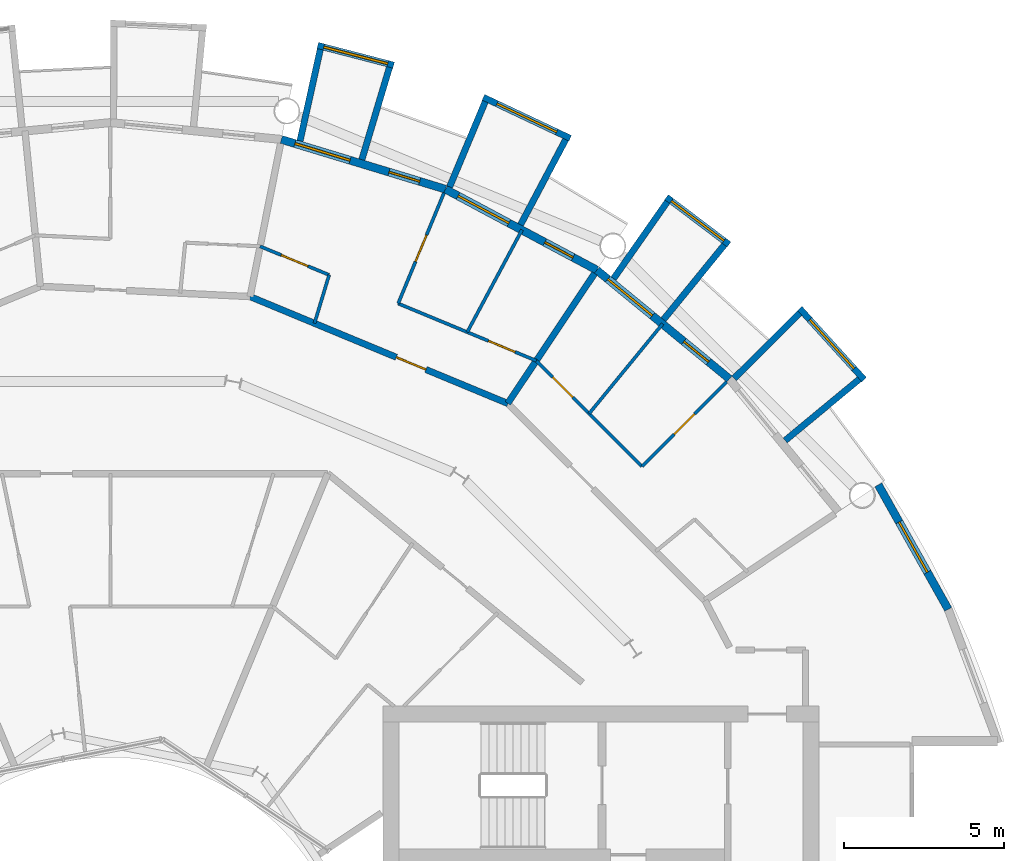
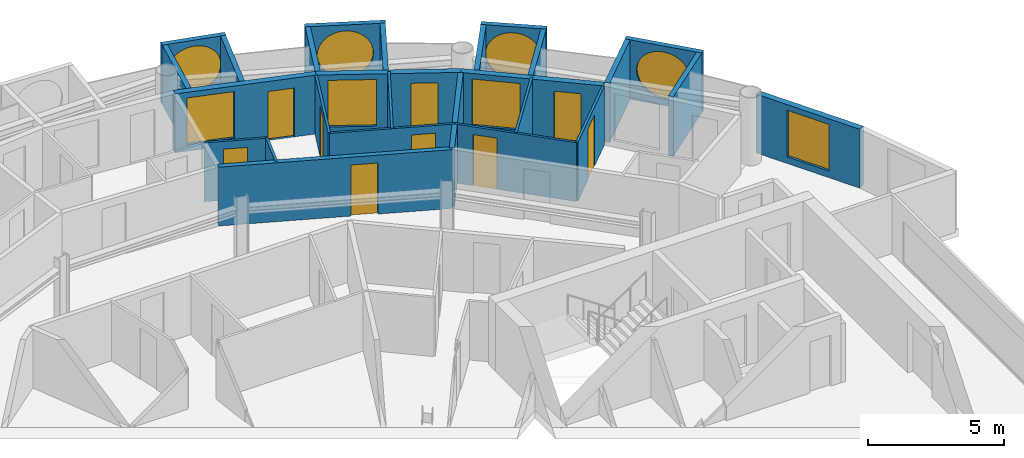
# One storey, part 23 of 26: 26 walls, 9 doors, 8 windows, 17 openings.
"""IFC4 building model written with IfcOpenShell, lengths in metres."""

from ifc_helpers import new_model, si_unit, direction, frame, frame_2d, origin, place, context, subcontext, project, spatial, rectangle, circle, extrude, material, layer, layer_set, type_object, element, fill, save


model = new_model("IFC4")

# Units and contexts
model_context = context("Model", 3, precision=1e-05, world=origin(), true_north=direction((0.0, 1.0)))
body_context = subcontext(model_context, "Body", "Model", "MODEL_VIEW")
ifc_project = project(units=[si_unit("LENGTHUNIT", "METRE"), si_unit("AREAUNIT", "SQUARE_METRE"), si_unit("VOLUMEUNIT", "CUBIC_METRE"), si_unit("PLANEANGLEUNIT", "RADIAN"), si_unit("MASSUNIT", "GRAM", prefix="KILO")], contexts=[model_context])

# Site, building, storey
site_placement = place(None, origin())
site = spatial("IfcSite", under=ifc_project, at=site_placement, CompositionType="ELEMENT")
building_placement = place(site_placement, origin())
building = spatial("IfcBuilding", under=site, at=building_placement, Name="Maasbend Ring Residences", CompositionType="ELEMENT")
storey_placement = place(building_placement, frame((0.0, 0.0, 176.85009765625)))
storey = spatial("IfcBuildingStorey", under=building, at=storey_placement, Name="L51", CompositionType="ELEMENT", Elevation=176.85009765625)

# Wall, opening, door
ifc_material_1 = material(Name="Concrete C30/37", Category="concrete")
ifc_layer_1 = layer(ifc_material_1, 0.199951171875)
ifc_layer_set_1 = layer_set([ifc_layer_1], Name="Concrete C30/37")
wall_type_1 = type_object("IfcWallType", Name="CORRIDOR WALL 200 CONCRETE", PredefinedType="PARTITIONING", material=ifc_layer_set_1)
wall_1_placement = place(storey_placement, frame((4.35107421875, 21.8720703125, 0.0), z_axis=(0.0, 0.0, 1.0), x_axis=(0.923722518166, -0.383062278792, 0.0)))
wall_1 = element("IfcWall", 1, at=wall_1_placement, inside=storey, type_object=wall_type_1, Name="U-L51-w110", PredefinedType="PARTITIONING", context=body_context, shape_type="SweptSolid", body=[
    extrude(rectangle(XDim=8.709228515625, YDim=0.199951171875, at=frame_2d((4.3544921875, 0.0))), origin(), (0.0, 0.0, 1.0), 2.64990234375),
])
opening_1_placement = place(wall_1_placement, frame((4.93798828125, 0.0, 0.0)))
opening_1 = element("IfcOpeningElement", 2, at=opening_1_placement, cuts=wall_1, Name="Opening D-5105", PredefinedType="OPENING", context=body_context, shape_type="SweptSolid", body=[
    extrude(rectangle(XDim=1.0, YDim=2.300048828125, at=frame_2d((0.5, 1.14990234375))), frame((0.0, 0.10986328125, 0.0), z_axis=(0.0, -1.0, 0.0), x_axis=(1.0, 0.0, 0.0)), (0.0, 0.0, 1.0), 0.219970703125),
])
ifc_material_2 = material(Name="Timber, fire-rated, painted", Category="wood")
door_type_1 = type_object("IfcDoorType", Name="FLAT ENTRANCE DOOR 1000 X 2300 FIRE-RATED", OperationType="NOTDEFINED", PredefinedType="DOOR", material=ifc_material_2)
door_1_placement = place(opening_1_placement, origin())
door_1 = element("IfcDoor", 3, at=door_1_placement, inside=storey, type_object=door_type_1, Name="D-5105", OperationType="SINGLE_SWING_RIGHT", OverallHeight=2.300048828125, OverallWidth=1.0, PredefinedType="DOOR", context=body_context, shape_type="SweptSolid", body=[
    extrude(rectangle(XDim=1.0, YDim=2.300048828125, at=frame_2d((0.5, 1.14990234375))), frame((0.0, 0.02490234375, 0.0), z_axis=(0.0, -1.0, 0.0), x_axis=(1.0, 0.0, 0.0)), (0.0, 0.0, 1.0), 0.050048828125),
])
fill(opening_1, door_1)

# Wall, opening, window
ifc_material_3 = material(Name="Pale anodised aluminium panel", Category="aluminium")
ifc_layer_2 = layer(ifc_material_3, 0.199951171875)
ifc_layer_set_2 = layer_set([ifc_layer_2], Name="EW-BOX")
wall_type_2 = type_object("IfcWallType", Name="EW-BOX", PredefinedType="SOLIDWALL", material=ifc_layer_set_2)
wall_2_placement = place(storey_placement, frame((23.5029296875, 19.281982421875, -0.030029296875), z_axis=(0.0, 0.0, 1.0), x_axis=(-0.671506829416, 0.740998365753, 0.0)))
wall_2 = element("IfcWall", 4, at=wall_2_placement, inside=storey, type_object=wall_type_2, Name="Box front N02", PredefinedType="SOLIDWALL", context=body_context, shape_type="SweptSolid", body=[
    extrude(rectangle(XDim=2.9931640625, YDim=0.199951171875, at=frame_2d((1.49658203125, 0.0))), origin(), (0.0, 0.0, 1.0), 2.679931640625),
])
opening_2_placement = place(wall_2_placement, frame((0.45654296875, 0.0, 0.330078125)))
opening_2 = element("IfcOpeningElement", 5, at=opening_2_placement, cuts=wall_2, Name="Opening W-RD", PredefinedType="OPENING", context=body_context, shape_type="SweptSolid", body=[
    extrude(circle(Radius=1.0400390625, at=frame_2d((1.0400390625, 1.0400390625))), frame((0.0, 0.10986328125, 0.0), z_axis=(0.0, -1.0, 0.0), x_axis=(1.0, 0.0, 0.0)), (0.0, 0.0, 1.0), 0.219970703125),
])
ifc_material_4 = material(Name="Aluminium and clear glass", Category="aluminium")
window_type_1 = type_object("IfcWindowType", Name="W-RD", PartitioningType="SINGLE_PANEL", PredefinedType="WINDOW", material=ifc_material_4)
window_1_placement = place(opening_2_placement, origin())
window_1 = element("IfcWindow", 6, at=window_1_placement, inside=storey, type_object=window_type_1, Name="Round window N02", OverallHeight=2.080078125, OverallWidth=2.080078125, PartitioningType="SINGLE_PANEL", PredefinedType="WINDOW", context=body_context, shape_type="SweptSolid", body=[
    extrude(circle(Radius=1.0400390625, at=frame_2d((1.0400390625, 1.0400390625))), frame((0.0, 0.030029296875, 0.0), z_axis=(0.0, -1.0, 0.0), x_axis=(1.0, 0.0, 0.0)), (0.0, 0.0, 1.0), 0.06005859375),
])
fill(opening_2, window_1)

# Walls
wall_3_placement = place(storey_placement, frame((21.041015625, 17.384033203125, -0.030029296875), z_axis=(0.0, 0.0, 1.0), x_axis=(0.770784861449, 0.63709551667, 0.0)))
element("IfcWall", 7, at=wall_3_placement, inside=storey, type_object=wall_type_2, Name="Box side wall N02 left", PredefinedType="SOLIDWALL", context=body_context, shape_type="SweptSolid", body=[
    extrude(rectangle(XDim=3.005859375, YDim=0.199951171875, at=frame_2d((1.5029296875, 0.0))), origin(), (0.0, 0.0, 1.0), 2.679931640625),
])
wall_4_placement = place(storey_placement, frame((19.449951171875, 19.322998046875, -0.030029296875), z_axis=(0.0, 0.0, 1.0), x_axis=(0.709727076896, 0.704476739375, 0.0)))
element("IfcWall", 8, at=wall_4_placement, inside=storey, type_object=wall_type_2, Name="Box side wall N02 right", PredefinedType="SOLIDWALL", context=body_context, shape_type="SweptSolid", body=[
    extrude(rectangle(XDim=2.883056640625, YDim=0.199951171875, at=frame_2d((1.44140625, 0.0))), origin(), (0.0, 0.0, 1.0), 2.679931640625),
])

# Wall, opening, window
wall_5_placement = place(storey_placement, frame((19.2890625, 23.4970703125, -0.030029296875), z_axis=(0.0, 0.0, 1.0), x_axis=(-0.797887588059, 0.602806268067, 0.0)))
wall_5 = element("IfcWall", 9, at=wall_5_placement, inside=storey, type_object=wall_type_2, Name="Box front N04", PredefinedType="SOLIDWALL", context=body_context, shape_type="SweptSolid", body=[
    extrude(rectangle(XDim=2.446533203125, YDim=0.199951171875, at=frame_2d((1.22314453125, 0.0))), origin(), (0.0, 0.0, 1.0), 2.679931640625),
])
opening_3_placement = place(wall_5_placement, frame((0.182861328125, 0.0, 0.330078125)))
opening_3 = element("IfcOpeningElement", 10, at=opening_3_placement, cuts=wall_5, Name="Opening W-RD", PredefinedType="OPENING", context=body_context, shape_type="SweptSolid", body=[
    extrude(circle(Radius=1.0400390625, at=frame_2d((1.0400390625, 1.0400390625))), frame((0.0, 0.10986328125, 0.0), z_axis=(0.0, -1.0, 0.0), x_axis=(1.0, 0.0, 0.0)), (0.0, 0.0, 1.0), 0.219970703125),
])
window_2_placement = place(opening_3_placement, origin())
window_2 = element("IfcWindow", 11, at=window_2_placement, inside=storey, type_object=window_type_1, Name="Round window N04", OverallHeight=2.080078125, OverallWidth=2.080078125, PartitioningType="SINGLE_PANEL", PredefinedType="WINDOW", context=body_context, shape_type="SweptSolid", body=[
    extrude(circle(Radius=1.0400390625, at=frame_2d((1.0400390625, 1.0400390625))), frame((0.0, 0.030029296875, 0.0), z_axis=(0.0, -1.0, 0.0), x_axis=(1.0, 0.0, 0.0)), (0.0, 0.0, 1.0), 0.06005859375),
])
fill(opening_3, window_2)

# Walls
wall_6_placement = place(storey_placement, frame((17.24609375, 21.155029296875, -0.030029296875), z_axis=(0.0, 0.0, 1.0), x_axis=(0.631741648902, 0.775179004516, 0.0)))
element("IfcWall", 12, at=wall_6_placement, inside=storey, type_object=wall_type_2, Name="Box side wall N04 left", PredefinedType="SOLIDWALL", context=body_context, shape_type="SweptSolid", body=[
    extrude(rectangle(XDim=3.005859375, YDim=0.199951171875, at=frame_2d((1.5029296875, 0.0))), origin(), (0.0, 0.0, 1.0), 2.679931640625),
])
wall_7_placement = place(storey_placement, frame((15.68798828125, 22.43310546875, -0.030029296875), z_axis=(0.0, 0.0, 1.0), x_axis=(0.573260687834, 0.819373043115, 0.0)))
element("IfcWall", 13, at=wall_7_placement, inside=storey, type_object=wall_type_2, Name="Box side wall N04 right", PredefinedType="SOLIDWALL", context=body_context, shape_type="SweptSolid", body=[
    extrude(rectangle(XDim=2.92529296875, YDim=0.199951171875, at=frame_2d((1.462646484375, 0.0))), origin(), (0.0, 0.0, 1.0), 2.679931640625),
])

# Wall, opening, window
wall_8_placement = place(storey_placement, frame((14.3349609375, 26.80810546875, -0.030029296875), z_axis=(0.0, 0.0, 1.0), x_axis=(-0.904000060331, 0.427532327342, 0.0)))
wall_8 = element("IfcWall", 14, at=wall_8_placement, inside=storey, type_object=wall_type_2, Name="Box front N06", PredefinedType="SOLIDWALL", context=body_context, shape_type="SweptSolid", body=[
    extrude(rectangle(XDim=2.993408203125, YDim=0.199951171875, at=frame_2d((1.49658203125, 0.0))), origin(), (0.0, 0.0, 1.0), 2.679931640625),
])
opening_4_placement = place(wall_8_placement, frame((0.45654296875, 0.0, 0.330078125)))
opening_4 = element("IfcOpeningElement", 15, at=opening_4_placement, cuts=wall_8, Name="Opening W-RD", PredefinedType="OPENING", context=body_context, shape_type="SweptSolid", body=[
    extrude(circle(Radius=1.0400390625, at=frame_2d((1.0400390625, 1.0400390625))), frame((0.0, 0.10986328125, 0.0), z_axis=(0.0, -1.0, 0.0), x_axis=(1.0, 0.0, 0.0)), (0.0, 0.0, 1.0), 0.219970703125),
])
window_3_placement = place(opening_4_placement, origin())
window_3 = element("IfcWindow", 16, at=window_3_placement, inside=storey, type_object=window_type_1, Name="Round window N06", OverallHeight=2.080078125, OverallWidth=2.080078125, PartitioningType="SINGLE_PANEL", PredefinedType="WINDOW", context=body_context, shape_type="SweptSolid", body=[
    extrude(circle(Radius=1.0400390625, at=frame_2d((1.0400390625, 1.0400390625))), frame((0.0, 0.030029296875, 0.0), z_axis=(0.0, -1.0, 0.0), x_axis=(1.0, 0.0, 0.0)), (0.0, 0.0, 1.0), 0.06005859375),
])
fill(opening_4, window_3)

# Walls
wall_9_placement = place(storey_placement, frame((12.787109375, 24.113037109375, -0.030029296875), z_axis=(0.0, 0.0, 1.0), x_axis=(0.468365282436, 0.883534924159, 0.0)))
element("IfcWall", 17, at=wall_9_placement, inside=storey, type_object=wall_type_2, Name="Box side wall N06 left", PredefinedType="SOLIDWALL", context=body_context, shape_type="SweptSolid", body=[
    extrude(rectangle(XDim=3.006103515625, YDim=0.199951171875, at=frame_2d((1.5029296875, 0.0))), origin(), (0.0, 0.0, 1.0), 2.679931640625),
])
wall_10_placement = place(storey_placement, frame((10.574951171875, 25.294921875, -0.030029296875), z_axis=(0.0, 0.0, 1.0), x_axis=(0.385697364644, 0.922625353492, 0.0)))
element("IfcWall", 18, at=wall_10_placement, inside=storey, type_object=wall_type_2, Name="Box side wall N06 right", PredefinedType="SOLIDWALL", context=body_context, shape_type="SweptSolid", body=[
    extrude(rectangle(XDim=2.88330078125, YDim=0.199951171875, at=frame_2d((1.441650390625, 0.0))), origin(), (0.0, 0.0, 1.0), 2.679931640625),
])

# Wall, opening, window
wall_11_placement = place(storey_placement, frame((8.8291015625, 29.090087890625, -0.030029296875), z_axis=(0.0, 0.0, 1.0), x_axis=(-0.96789536872, 0.251353446784, 0.0)))
wall_11 = element("IfcWall", 19, at=wall_11_placement, inside=storey, type_object=wall_type_2, Name="Box front N08", PredefinedType="SOLIDWALL", context=body_context, shape_type="SweptSolid", body=[
    extrude(rectangle(XDim=2.44677734375, YDim=0.199951171875, at=frame_2d((1.223388671875, 0.0))), origin(), (0.0, 0.0, 1.0), 2.679931640625),
])
opening_5_placement = place(wall_11_placement, frame((0.182861328125, 0.0, 0.330078125)))
opening_5 = element("IfcOpeningElement", 20, at=opening_5_placement, cuts=wall_11, Name="Opening W-RD", PredefinedType="OPENING", context=body_context, shape_type="SweptSolid", body=[
    extrude(circle(Radius=1.0400390625, at=frame_2d((1.0400390625, 1.0400390625))), frame((0.0, 0.10986328125, 0.0), z_axis=(0.0, -1.0, 0.0), x_axis=(1.0, 0.0, 0.0)), (0.0, 0.0, 1.0), 0.219970703125),
])
window_4_placement = place(opening_5_placement, origin())
window_4 = element("IfcWindow", 21, at=window_4_placement, inside=storey, type_object=window_type_1, Name="Round window N08", OverallHeight=2.080078125, OverallWidth=2.080078125, PartitioningType="SINGLE_PANEL", PredefinedType="WINDOW", context=body_context, shape_type="SweptSolid", body=[
    extrude(circle(Radius=1.0400390625, at=frame_2d((1.0400390625, 1.0400390625))), frame((0.0, 0.030029296875, 0.0), z_axis=(0.0, -1.0, 0.0), x_axis=(1.0, 0.0, 0.0)), (0.0, 0.0, 1.0), 0.06005859375),
])
fill(opening_5, window_4)

# Walls
wall_12_placement = place(storey_placement, frame((7.8369140625, 26.14404296875, -0.030029296875), z_axis=(0.0, 0.0, 1.0), x_axis=(0.287064767992, 0.957911174889, 0.0)))
element("IfcWall", 22, at=wall_12_placement, inside=storey, type_object=wall_type_2, Name="Box side wall N08 left", PredefinedType="SOLIDWALL", context=body_context, shape_type="SweptSolid", body=[
    extrude(rectangle(XDim=3.00634765625, YDim=0.199951171875, at=frame_2d((1.503173828125, 0.0))), origin(), (0.0, 0.0, 1.0), 2.679931640625),
])
wall_13_placement = place(storey_placement, frame((5.908935546875, 26.72900390625, -0.030029296875), z_axis=(0.0, 0.0, 1.0), x_axis=(0.216409053917, 0.976302781612, 0.0)))
element("IfcWall", 23, at=wall_13_placement, inside=storey, type_object=wall_type_2, Name="Box side wall N08 right", PredefinedType="SOLIDWALL", context=body_context, shape_type="SweptSolid", body=[
    extrude(rectangle(XDim=2.92529296875, YDim=0.199951171875, at=frame_2d((1.462646484375, 0.0))), origin(), (0.0, 0.0, 1.0), 2.679931640625),
])

# Wall, openings, door, window
ifc_material_5 = material(Name="Aluminium clad insulated panel", Category="aluminium")
ifc_layer_3 = layer(ifc_material_5, 0.25)
ifc_layer_set_3 = layer_set([ifc_layer_3], Name="EW-GL")
wall_type_3 = type_object("IfcWallType", Name="EW-GL", PredefinedType="SOLIDWALL", material=ifc_layer_set_3)
wall_14_placement = place(storey_placement, frame((19.303955078125, 19.303955078125, 0.0), z_axis=(0.0, 0.0, 1.0), x_axis=(-0.773019449054, 0.634382322723, 0.0)))
wall_14 = element("IfcWall", 24, at=wall_14_placement, inside=storey, type_object=wall_type_3, Name="External wall N02", PredefinedType="SOLIDWALL", context=body_context, shape_type="SweptSolid", body=[
    extrude(rectangle(XDim=5.351806640625, YDim=0.25, at=frame_2d((2.67578125, 0.0))), origin(), (0.0, 0.0, 1.0), 2.64990234375),
])
opening_6_placement = place(wall_14_placement, frame((0.841064453125, 0.0, 0.0)))
opening_6 = element("IfcOpeningElement", 25, at=opening_6_placement, cuts=wall_14, Name="Opening D-LG", PredefinedType="OPENING", context=body_context, shape_type="SweptSolid", body=[
    extrude(rectangle(XDim=1.0, YDim=2.199951171875, at=frame_2d((0.5, 1.10009765625))), frame((0.0, 0.135009765625, 0.0), z_axis=(0.0, -1.0, 0.0), x_axis=(1.0, 0.0, 0.0)), (0.0, 0.0, 1.0), 0.27001953125),
])
opening_7_placement = place(wall_14_placement, frame((3.110595703125, 0.0, 0.300048828125)))
opening_7 = element("IfcOpeningElement", 26, at=opening_7_placement, cuts=wall_14, Name="Opening W-BX", PredefinedType="OPENING", context=body_context, shape_type="SweptSolid", body=[
    extrude(rectangle(XDim=1.800048828125, YDim=2.10009765625, at=frame_2d((0.89990234375, 1.050048828125))), frame((0.0, 0.135009765625, 0.0), z_axis=(0.0, -1.0, 0.0), x_axis=(1.0, 0.0, 0.0)), (0.0, 0.0, 1.0), 0.27001953125),
])
ifc_material_6 = material(Name="Aluminium and clear glass", Category="aluminium")
door_type_2 = type_object("IfcDoorType", Name="D-LG", OperationType="SINGLE_SWING_LEFT", PredefinedType="DOOR", material=ifc_material_6)
door_2_placement = place(opening_6_placement, origin())
door_2 = element("IfcDoor", 27, at=door_2_placement, inside=storey, type_object=door_type_2, Name="Loggia door N03", OperationType="SINGLE_SWING_LEFT", OverallHeight=2.199951171875, OverallWidth=1.0, PredefinedType="DOOR", context=body_context, shape_type="SweptSolid", body=[
    extrude(rectangle(XDim=1.0, YDim=2.199951171875, at=frame_2d((0.5, 1.10009765625))), frame((0.0, 0.02490234375, 0.0), z_axis=(0.0, -1.0, 0.0), x_axis=(1.0, 0.0, 0.0)), (0.0, 0.0, 1.0), 0.050048828125),
])
fill(opening_6, door_2)
ifc_material_7 = material(Name="Aluminium and clear glass", Category="aluminium")
window_type_2 = type_object("IfcWindowType", Name="W-BX", PartitioningType="DOUBLE_PANEL_VERTICAL", PredefinedType="WINDOW", material=ifc_material_7)
window_5_placement = place(opening_7_placement, origin())
window_5 = element("IfcWindow", 28, at=window_5_placement, inside=storey, type_object=window_type_2, Name="Window N04 room to box", OverallHeight=2.10009765625, OverallWidth=1.800048828125, PartitioningType="SINGLE_PANEL", PredefinedType="WINDOW", context=body_context, shape_type="SweptSolid", body=[
    extrude(rectangle(XDim=1.800048828125, YDim=2.10009765625, at=frame_2d((0.89990234375, 1.050048828125))), frame((0.0, 0.030029296875, 0.0), z_axis=(0.0, -1.0, 0.0), x_axis=(1.0, 0.0, 0.0)), (0.0, 0.0, 1.0), 0.06005859375),
])
fill(opening_7, window_5)

wall_15_placement = place(storey_placement, frame((15.1669921875, 22.698974609375, 0.0), z_axis=(0.0, 0.0, 1.0), x_axis=(-0.881915646801, 0.471407246368, 0.0)))
wall_15 = element("IfcWall", 29, at=wall_15_placement, inside=storey, type_object=wall_type_3, Name="External wall N03", PredefinedType="SOLIDWALL", context=body_context, shape_type="SweptSolid", body=[
    extrude(rectangle(XDim=5.35205078125, YDim=0.25, at=frame_2d((2.676025390625, 0.0))), origin(), (0.0, 0.0, 1.0), 2.64990234375),
])
opening_8_placement = place(wall_15_placement, frame((0.841064453125, 0.0, 0.0)))
opening_8 = element("IfcOpeningElement", 30, at=opening_8_placement, cuts=wall_15, Name="Opening D-LG", PredefinedType="OPENING", context=body_context, shape_type="SweptSolid", body=[
    extrude(rectangle(XDim=1.0, YDim=2.199951171875, at=frame_2d((0.5, 1.10009765625))), frame((0.0, 0.135009765625, 0.0), z_axis=(0.0, -1.0, 0.0), x_axis=(1.0, 0.0, 0.0)), (0.0, 0.0, 1.0), 0.27001953125),
])
opening_9_placement = place(wall_15_placement, frame((3.110595703125, 0.0, 0.300048828125)))
opening_9 = element("IfcOpeningElement", 31, at=opening_9_placement, cuts=wall_15, Name="Opening W-BX", PredefinedType="OPENING", context=body_context, shape_type="SweptSolid", body=[
    extrude(rectangle(XDim=1.800048828125, YDim=2.10009765625, at=frame_2d((0.89990234375, 1.050048828125))), frame((0.0, 0.135009765625, 0.0), z_axis=(0.0, -1.0, 0.0), x_axis=(1.0, 0.0, 0.0)), (0.0, 0.0, 1.0), 0.27001953125),
])
door_3_placement = place(opening_8_placement, origin())
door_3 = element("IfcDoor", 32, at=door_3_placement, inside=storey, type_object=door_type_2, Name="Loggia door N05", OperationType="SINGLE_SWING_LEFT", OverallHeight=2.199951171875, OverallWidth=1.0, PredefinedType="DOOR", context=body_context, shape_type="SweptSolid", body=[
    extrude(rectangle(XDim=1.0, YDim=2.199951171875, at=frame_2d((0.5, 1.10009765625))), frame((0.0, 0.02490234375, 0.0), z_axis=(0.0, -1.0, 0.0), x_axis=(1.0, 0.0, 0.0)), (0.0, 0.0, 1.0), 0.050048828125),
])
fill(opening_8, door_3)
window_6_placement = place(opening_9_placement, origin())
window_6 = element("IfcWindow", 33, at=window_6_placement, inside=storey, type_object=window_type_2, Name="Window N06 room to box", OverallHeight=2.10009765625, OverallWidth=1.800048828125, PartitioningType="SINGLE_PANEL", PredefinedType="WINDOW", context=body_context, shape_type="SweptSolid", body=[
    extrude(rectangle(XDim=1.800048828125, YDim=2.10009765625, at=frame_2d((0.89990234375, 1.050048828125))), frame((0.0, 0.030029296875, 0.0), z_axis=(0.0, -1.0, 0.0), x_axis=(1.0, 0.0, 0.0)), (0.0, 0.0, 1.0), 0.06005859375),
])
fill(opening_9, window_6)

wall_16_placement = place(storey_placement, frame((10.447021484375, 25.221923828125, 0.0), z_axis=(0.0, 0.0, 1.0), x_axis=(-0.956965678721, 0.290201119486, 0.0)))
wall_16 = element("IfcWall", 34, at=wall_16_placement, inside=storey, type_object=wall_type_3, Name="External wall N04", PredefinedType="SOLIDWALL", context=body_context, shape_type="SweptSolid", body=[
    extrude(rectangle(XDim=5.351318359375, YDim=0.25, at=frame_2d((2.67578125, 0.0))), origin(), (0.0, 0.0, 1.0), 2.64990234375),
])
opening_10_placement = place(wall_16_placement, frame((0.841064453125, 0.0, 0.0)))
opening_10 = element("IfcOpeningElement", 35, at=opening_10_placement, cuts=wall_16, Name="Opening D-LG", PredefinedType="OPENING", context=body_context, shape_type="SweptSolid", body=[
    extrude(rectangle(XDim=1.0, YDim=2.199951171875, at=frame_2d((0.5, 1.10009765625))), frame((0.0, 0.135009765625, 0.0), z_axis=(0.0, -1.0, 0.0), x_axis=(1.0, 0.0, 0.0)), (0.0, 0.0, 1.0), 0.27001953125),
])
opening_11_placement = place(wall_16_placement, frame((3.110595703125, 0.0, 0.300048828125)))
opening_11 = element("IfcOpeningElement", 36, at=opening_11_placement, cuts=wall_16, Name="Opening W-BX", PredefinedType="OPENING", context=body_context, shape_type="SweptSolid", body=[
    extrude(rectangle(XDim=1.800048828125, YDim=2.10009765625, at=frame_2d((0.89990234375, 1.050048828125))), frame((0.0, 0.135009765625, 0.0), z_axis=(0.0, -1.0, 0.0), x_axis=(1.0, 0.0, 0.0)), (0.0, 0.0, 1.0), 0.27001953125),
])
door_4_placement = place(opening_10_placement, origin())
door_4 = element("IfcDoor", 37, at=door_4_placement, inside=storey, type_object=door_type_2, Name="Loggia door N07", OperationType="SINGLE_SWING_LEFT", OverallHeight=2.199951171875, OverallWidth=1.0, PredefinedType="DOOR", context=body_context, shape_type="SweptSolid", body=[
    extrude(rectangle(XDim=1.0, YDim=2.199951171875, at=frame_2d((0.5, 1.10009765625))), frame((0.0, 0.02490234375, 0.0), z_axis=(0.0, -1.0, 0.0), x_axis=(1.0, 0.0, 0.0)), (0.0, 0.0, 1.0), 0.050048828125),
])
fill(opening_10, door_4)
window_7_placement = place(opening_11_placement, origin())
window_7 = element("IfcWindow", 38, at=window_7_placement, inside=storey, type_object=window_type_2, Name="Window N08 room to box", OverallHeight=2.10009765625, OverallWidth=1.800048828125, PartitioningType="SINGLE_PANEL", PredefinedType="WINDOW", context=body_context, shape_type="SweptSolid", body=[
    extrude(rectangle(XDim=1.800048828125, YDim=2.10009765625, at=frame_2d((0.89990234375, 1.050048828125))), frame((0.0, 0.030029296875, 0.0), z_axis=(0.0, -1.0, 0.0), x_axis=(1.0, 0.0, 0.0)), (0.0, 0.0, 1.0), 0.06005859375),
])
fill(opening_11, window_7)

# Wall, opening, window
ifc_material_8 = material(Name="Aluminium clad insulated panel", Category="aluminium")
ifc_layer_4 = layer(ifc_material_8, 0.25)
ifc_layer_set_4 = layer_set([ifc_layer_4], Name="EW-HORN")
wall_type_4 = type_object("IfcWallType", Name="EW-HORN", PredefinedType="SOLIDWALL", material=ifc_layer_set_4)
wall_17_placement = place(storey_placement, frame((26.126953125, 12.116943359375, 0.0), z_axis=(0.0, 0.0, 1.0), x_axis=(-0.489696356642, 0.871893042919, 0.0)))
wall_17 = element("IfcWall", 39, at=wall_17_placement, inside=storey, type_object=wall_type_4, Name="Horn wall 1.2", PredefinedType="SOLIDWALL", context=body_context, shape_type="SweptSolid", body=[
    extrude(rectangle(XDim=4.45361328125, YDim=0.25, at=frame_2d((2.226806640625, 0.0))), origin(), (0.0, 0.0, 1.0), 2.64990234375),
])
opening_12_placement = place(wall_17_placement, frame((1.32666015625, 0.0, 0.300048828125)))
opening_12 = element("IfcOpeningElement", 40, at=opening_12_placement, cuts=wall_17, Name="Opening W-BX", PredefinedType="OPENING", context=body_context, shape_type="SweptSolid", body=[
    extrude(rectangle(XDim=1.800048828125, YDim=2.10009765625, at=frame_2d((0.89990234375, 1.050048828125))), frame((0.0, 0.135009765625, 0.0), z_axis=(0.0, -1.0, 0.0), x_axis=(1.0, 0.0, 0.0)), (0.0, 0.0, 1.0), 0.27001953125),
])
window_8_placement = place(opening_12_placement, origin())
window_8 = element("IfcWindow", 41, at=window_8_placement, inside=storey, type_object=window_type_2, Name="Horn window 1.2", OverallHeight=2.10009765625, OverallWidth=1.800048828125, PartitioningType="SINGLE_PANEL", PredefinedType="WINDOW", context=body_context, shape_type="SweptSolid", body=[
    extrude(rectangle(XDim=1.800048828125, YDim=2.10009765625, at=frame_2d((0.89990234375, 1.050048828125))), frame((0.0, 0.030029296875, 0.0), z_axis=(0.0, -1.0, 0.0), x_axis=(1.0, 0.0, 0.0)), (0.0, 0.0, 1.0), 0.06005859375),
])
fill(opening_12, window_8)

# Wall, opening, door
ifc_material_9 = material(Name="Gypsum board on steel studs", Category="steel")
ifc_layer_5 = layer(ifc_material_9, 0.10009765625)
ifc_layer_set_5 = layer_set([ifc_layer_5], Name="PARTITION 100 GYPSUM")
wall_type_5 = type_object("IfcWallType", Name="PARTITION 100 GYPSUM", PredefinedType="PARTITIONING", material=ifc_layer_set_5)
wall_18_placement = place(storey_placement, frame((8.969970703125, 21.656005859375, 0.0), z_axis=(0.0, 0.0, 1.0), x_axis=(0.382669377748, 0.923885353999, 0.0)))
wall_18 = element("IfcWall", 42, at=wall_18_placement, inside=storey, type_object=wall_type_5, Name="U-L51-w079", PredefinedType="PARTITIONING", context=body_context, shape_type="SweptSolid", body=[
    extrude(rectangle(XDim=3.734130859375, YDim=0.10009765625, at=frame_2d((1.8671875, 0.0))), origin(), (0.0, 0.0, 1.0), 2.64990234375),
])
opening_13_placement = place(wall_18_placement, frame((1.4169921875, 0.0, 0.0)))
opening_13 = element("IfcOpeningElement", 43, at=opening_13_placement, cuts=wall_18, Name="Opening D-5107", PredefinedType="OPENING", context=body_context, shape_type="SweptSolid", body=[
    extrude(rectangle(XDim=0.89990234375, YDim=2.300048828125, at=frame_2d((0.449951171875, 1.14990234375))), frame((0.0, 0.06005859375, 0.0), z_axis=(0.0, -1.0, 0.0), x_axis=(1.0, 0.0, 0.0)), (0.0, 0.0, 1.0), 0.1201171875),
])
ifc_material_10 = material(Name="Timber, painted", Category="wood")
door_type_3 = type_object("IfcDoorType", Name="INTERNAL DOOR 900 X 2300", OperationType="NOTDEFINED", PredefinedType="DOOR", material=ifc_material_10)
door_5_placement = place(opening_13_placement, origin())
door_5 = element("IfcDoor", 44, at=door_5_placement, inside=storey, type_object=door_type_3, Name="D-5107", OperationType="SINGLE_SWING_RIGHT", OverallHeight=2.300048828125, OverallWidth=0.89990234375, PredefinedType="DOOR", context=body_context, shape_type="SweptSolid", body=[
    extrude(rectangle(XDim=0.89990234375, YDim=2.300048828125, at=frame_2d((0.449951171875, 1.14990234375))), frame((0.0, 0.02490234375, 0.0), z_axis=(0.0, -1.0, 0.0), x_axis=(1.0, 0.0, 0.0)), (0.0, 0.0, 1.0), 0.050048828125),
])
fill(opening_13, door_5)

# Walls
wall_19_placement = place(storey_placement, frame((11.1240234375, 20.763916015625, 0.0), z_axis=(0.0, 0.0, 1.0), x_axis=(0.472212052488, 0.881484984265, 0.0)))
element("IfcWall", 45, at=wall_19_placement, inside=storey, type_object=wall_type_5, Name="U-L51-w082", PredefinedType="PARTITIONING", context=body_context, shape_type="SweptSolid", body=[
    extrude(rectangle(XDim=3.619140625, YDim=0.10009765625, at=frame_2d((1.8095703125, 0.0))), origin(), (0.0, 0.0, 1.0), 2.64990234375),
])
wall_20_placement = place(storey_placement, frame((14.927001953125, 18.22412109375, 0.0), z_axis=(0.0, 0.0, 1.0), x_axis=(0.633737383709, 0.773548271597, 0.0)))
element("IfcWall", 46, at=wall_20_placement, inside=storey, type_object=wall_type_5, Name="U-L51-w085", PredefinedType="PARTITIONING", context=body_context, shape_type="SweptSolid", body=[
    extrude(rectangle(XDim=3.6181640625, YDim=0.10009765625, at=frame_2d((1.80908203125, 0.0))), origin(), (0.0, 0.0, 1.0), 2.64990234375),
])

# Wall, opening, door
wall_21_placement = place(storey_placement, frame((16.574951171875, 16.574951171875, 0.0), z_axis=(0.0, 0.0, 1.0), x_axis=(0.707106781187, 0.707106781187, 0.0)))
wall_21 = element("IfcWall", 47, at=wall_21_placement, inside=storey, type_object=wall_type_5, Name="U-L51-w087", PredefinedType="PARTITIONING", context=body_context, shape_type="SweptSolid", body=[
    extrude(rectangle(XDim=3.735107421875, YDim=0.10009765625, at=frame_2d((1.86767578125, 0.0))), origin(), (0.0, 0.0, 1.0), 2.64990234375),
])
opening_14_placement = place(wall_21_placement, frame((1.4169921875, 0.0, 0.0)))
opening_14 = element("IfcOpeningElement", 48, at=opening_14_placement, cuts=wall_21, Name="Opening D-5103", PredefinedType="OPENING", context=body_context, shape_type="SweptSolid", body=[
    extrude(rectangle(XDim=0.89990234375, YDim=2.300048828125, at=frame_2d((0.449951171875, 1.14990234375))), frame((0.0, 0.06005859375, 0.0), z_axis=(0.0, -1.0, 0.0), x_axis=(1.0, 0.0, 0.0)), (0.0, 0.0, 1.0), 0.1201171875),
])
door_6_placement = place(opening_14_placement, origin())
door_6 = element("IfcDoor", 49, at=door_6_placement, inside=storey, type_object=door_type_3, Name="D-5103", OperationType="SINGLE_SWING_RIGHT", OverallHeight=2.300048828125, OverallWidth=0.89990234375, PredefinedType="DOOR", context=body_context, shape_type="SweptSolid", body=[
    extrude(rectangle(XDim=0.89990234375, YDim=2.300048828125, at=frame_2d((0.449951171875, 1.14990234375))), frame((0.0, 0.02490234375, 0.0), z_axis=(0.0, -1.0, 0.0), x_axis=(1.0, 0.0, 0.0)), (0.0, 0.0, 1.0), 0.050048828125),
])
fill(opening_14, door_6)

# Wall
wall_22_placement = place(storey_placement, frame((6.360107421875, 21.0390625, 0.0), z_axis=(0.0, 0.0, 1.0), x_axis=(0.289547780579, 0.957163561134, 0.0)))
element("IfcWall", 50, at=wall_22_placement, inside=storey, type_object=wall_type_5, Name="U-L51-w092", PredefinedType="PARTITIONING", context=body_context, shape_type="SweptSolid", body=[
    extrude(rectangle(XDim=1.57763671875, YDim=0.10009765625, at=frame_2d((0.788818359375, 0.0))), origin(), (0.0, 0.0, 1.0), 2.64990234375),
])

# Wall, opening, door
wall_23_placement = place(storey_placement, frame((4.6630859375, 23.43994140625, 0.0), z_axis=(0.0, 0.0, 1.0), x_axis=(0.923923664861, -0.382576870068, 0.0)))
wall_23 = element("IfcWall", 51, at=wall_23_placement, inside=storey, type_object=wall_type_5, Name="U-L51-w118", PredefinedType="PARTITIONING", context=body_context, shape_type="SweptSolid", body=[
    extrude(rectangle(XDim=2.3310546875, YDim=0.10009765625, at=frame_2d((1.16552734375, 0.0))), origin(), (0.0, 0.0, 1.0), 2.64990234375),
])
opening_15_placement = place(wall_23_placement, frame((0.715087890625, 0.0, 0.0)))
opening_15 = element("IfcOpeningElement", 52, at=opening_15_placement, cuts=wall_23, Name="Opening D-5106", PredefinedType="OPENING", context=body_context, shape_type="SweptSolid", body=[
    extrude(rectangle(XDim=0.89990234375, YDim=2.300048828125, at=frame_2d((0.449951171875, 1.14990234375))), frame((0.0, 0.06005859375, 0.0), z_axis=(0.0, -1.0, 0.0), x_axis=(1.0, 0.0, 0.0)), (0.0, 0.0, 1.0), 0.1201171875),
])
door_7_placement = place(opening_15_placement, origin())
door_7 = element("IfcDoor", 53, at=door_7_placement, inside=storey, type_object=door_type_3, Name="D-5106", OperationType="SINGLE_SWING_LEFT", OverallHeight=2.300048828125, OverallWidth=0.89990234375, PredefinedType="DOOR", context=body_context, shape_type="SweptSolid", body=[
    extrude(rectangle(XDim=0.89990234375, YDim=2.300048828125, at=frame_2d((0.449951171875, 1.14990234375))), frame((0.0, 0.02490234375, 0.0), z_axis=(0.0, -1.0, 0.0), x_axis=(1.0, 0.0, 0.0)), (0.0, 0.0, 1.0), 0.050048828125),
])
fill(opening_15, door_7)

wall_24_placement = place(storey_placement, frame((8.969970703125, 21.656005859375, 0.0), z_axis=(0.0, 0.0, 1.0), x_axis=(0.923920484476, -0.38258455061, 0.0)))
wall_24 = element("IfcWall", 54, at=wall_24_placement, inside=storey, type_object=wall_type_5, Name="U-L51-w119", PredefinedType="PARTITIONING", context=body_context, shape_type="SweptSolid", body=[
    extrude(rectangle(XDim=4.662841796875, YDim=0.10009765625, at=frame_2d((2.33154296875, 0.0))), origin(), (0.0, 0.0, 1.0), 2.64990234375),
])
opening_16_placement = place(wall_24_placement, frame((3.047119140625, 0.0, 0.0)))
opening_16 = element("IfcOpeningElement", 55, at=opening_16_placement, cuts=wall_24, Name="Opening D-5108", PredefinedType="OPENING", context=body_context, shape_type="SweptSolid", body=[
    extrude(rectangle(XDim=0.89990234375, YDim=2.300048828125, at=frame_2d((0.449951171875, 1.14990234375))), frame((0.0, 0.06005859375, 0.0), z_axis=(0.0, -1.0, 0.0), x_axis=(1.0, 0.0, 0.0)), (0.0, 0.0, 1.0), 0.1201171875),
])
door_8_placement = place(opening_16_placement, origin())
door_8 = element("IfcDoor", 56, at=door_8_placement, inside=storey, type_object=door_type_3, Name="D-5108", OperationType="SINGLE_SWING_RIGHT", OverallHeight=2.300048828125, OverallWidth=0.89990234375, PredefinedType="DOOR", context=body_context, shape_type="SweptSolid", body=[
    extrude(rectangle(XDim=0.89990234375, YDim=2.300048828125, at=frame_2d((0.449951171875, 1.14990234375))), frame((0.0, 0.02490234375, 0.0), z_axis=(0.0, -1.0, 0.0), x_axis=(1.0, 0.0, 0.0)), (0.0, 0.0, 1.0), 0.050048828125),
])
fill(opening_16, door_8)

wall_25_placement = place(storey_placement, frame((13.278076171875, 19.8720703125, 0.0), z_axis=(0.0, 0.0, 1.0), x_axis=(0.707080600289, -0.707132961115, 0.0)))
wall_25 = element("IfcWall", 57, at=wall_25_placement, inside=storey, type_object=wall_type_5, Name="U-L51-w120", PredefinedType="PARTITIONING", context=body_context, shape_type="SweptSolid", body=[
    extrude(rectangle(XDim=4.66259765625, YDim=0.10009765625, at=frame_2d((2.331298828125, 0.0))), origin(), (0.0, 0.0, 1.0), 2.64990234375),
])
opening_17_placement = place(wall_25_placement, frame((0.718994140625, 0.0, 0.0)))
opening_17 = element("IfcOpeningElement", 58, at=opening_17_placement, cuts=wall_25, Name="Opening D-5104", PredefinedType="OPENING", context=body_context, shape_type="SweptSolid", body=[
    extrude(rectangle(XDim=0.89990234375, YDim=2.300048828125, at=frame_2d((0.449951171875, 1.14990234375))), frame((0.0, 0.06005859375, 0.0), z_axis=(0.0, -1.0, 0.0), x_axis=(1.0, 0.0, 0.0)), (0.0, 0.0, 1.0), 0.1201171875),
])
door_9_placement = place(opening_17_placement, origin())
door_9 = element("IfcDoor", 59, at=door_9_placement, inside=storey, type_object=door_type_3, Name="D-5104", OperationType="SINGLE_SWING_LEFT", OverallHeight=2.300048828125, OverallWidth=0.89990234375, PredefinedType="DOOR", context=body_context, shape_type="SweptSolid", body=[
    extrude(rectangle(XDim=0.89990234375, YDim=2.300048828125, at=frame_2d((0.449951171875, 1.14990234375))), frame((0.0, 0.02490234375, 0.0), z_axis=(0.0, -1.0, 0.0), x_axis=(1.0, 0.0, 0.0)), (0.0, 0.0, 1.0), 0.050048828125),
])
fill(opening_17, door_9)

# Wall
ifc_material_11 = material(Name="Concrete C30/37", Category="concrete")
ifc_layer_6 = layer(ifc_material_11, 0.199951171875)
ifc_layer_set_6 = layer_set([ifc_layer_6], Name="Concrete C30/37")
wall_type_6 = type_object("IfcWallType", Name="PARTY WALL 200 CONCRETE", PredefinedType="PARTITIONING", material=ifc_layer_set_6)
wall_26_placement = place(storey_placement, frame((12.388916015625, 18.5419921875, 0.0), z_axis=(0.0, 0.0, 1.0), x_axis=(0.55569370664, 0.831387096605, 0.0)))
element("IfcWall", 60, at=wall_26_placement, inside=storey, type_object=wall_type_6, Name="U-L51-w084", PredefinedType="PARTITIONING", context=body_context, shape_type="SweptSolid", body=[
    extrude(rectangle(XDim=4.875, YDim=0.199951171875, at=frame_2d((2.4375, 0.0))), origin(), (0.0, 0.0, 1.0), 2.64990234375),
])

save(model, "model.ifc")
